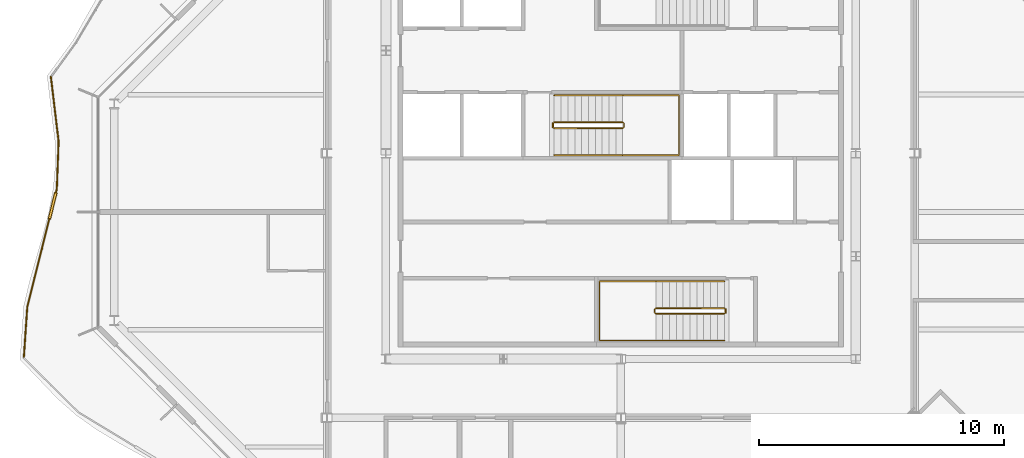
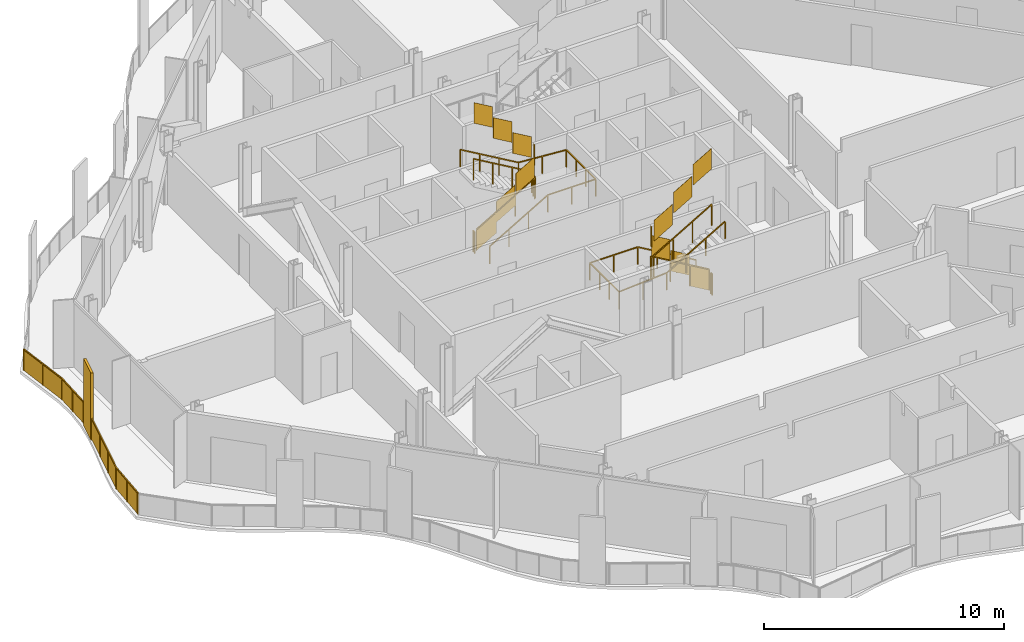
# One storey, part 14 of 17: 7 railings.
"""IFC4 building model written with IfcOpenShell, lengths in metres."""

from ifc_helpers import new_model, si_unit, direction, frame, origin, origin_2d, place, context, subcontext, project, spatial, polyline, rectangle, outline, extrude, material, type_object, element, save


model = new_model("IFC4")

# Units and contexts
model_context = context("Model", 3, precision=1e-05, world=origin(), true_north=direction((0.0, 1.0)))
body_context = subcontext(model_context, "Body", "Model", "MODEL_VIEW")
ifc_project = project(units=[si_unit("LENGTHUNIT", "METRE"), si_unit("AREAUNIT", "SQUARE_METRE"), si_unit("VOLUMEUNIT", "CUBIC_METRE"), si_unit("PLANEANGLEUNIT", "RADIAN"), si_unit("MASSUNIT", "GRAM", prefix="KILO")], contexts=[model_context])

# Site, building, storey
site_placement = place(None, origin())
site = spatial("IfcSite", under=ifc_project, at=site_placement, CompositionType="ELEMENT")
building_placement = place(site_placement, origin())
building = spatial("IfcBuilding", under=site, at=building_placement, Name="Cairn Pilgrim Tower", CompositionType="ELEMENT")
storey_placement = place(building_placement, frame((0.0, 0.0, 235.800048828125)))
storey = spatial("IfcBuildingStorey", under=building, at=storey_placement, Name="L60", CompositionType="ELEMENT", Elevation=235.800048828125)

# Railings
ifc_material_1 = material(Name="Bronze anodised aluminium rail, posts and fin screens with laminated glass infill", Category="aluminium")
railing_type_1 = type_object("IfcRailingType", Name="BALCONY GUARD WITH FIN SCREENS", PredefinedType="GUARDRAIL", material=ifc_material_1)
railing_1_placement = place(storey_placement, frame((-16.087646484375, 5.522705078125, 0.0)))
element("IfcRailing", 1, at=railing_1_placement, inside=storey, type_object=railing_type_1, Name="Balcony guard BGF-7 with fin screens", PredefinedType="GUARDRAIL", context=body_context, shape_type="SweptSolid", body=[
    extrude(rectangle(XDim=0.050048828125, YDim=0.050048828125, at=origin_2d()), frame((0.0, 0.0, 1.0751953125), z_axis=(0.118873323235, -0.992909428409, 0.0), x_axis=(0.992909428409, 0.118873323235, 0.0)), (0.0, 0.0, 1.0), 2.655517578125),
    extrude(rectangle(XDim=0.050048828125, YDim=0.050048828125, at=origin_2d()), frame((0.315673828125, -2.63671875, 1.0751953125), z_axis=(-0.038086688743, -0.999274438851, 0.0), x_axis=(0.999274438851, -0.038086688743, 0.0)), (0.0, 0.0, 1.0), 1.94873046875),
    extrude(rectangle(XDim=1.10009765625, YDim=0.110107421875, at=origin_2d()), frame((0.071044921875, -5.262939453125, 0.0), z_axis=(0.0, 0.0, 1.0), x_axis=(-0.243486878298, -0.969904191195, 0.0)), (0.0, 0.0, 1.0), 3.39990234375),
    extrude(rectangle(XDim=0.050048828125, YDim=0.050048828125, at=origin_2d()), frame((0.241455078125, -4.583984375, 1.0751953125), z_axis=(-0.243486878298, -0.969904191195, 0.0), x_axis=(0.969904191195, -0.243486878298, 0.0)), (0.0, 0.0, 1.0), 0.150146484375),
    extrude(rectangle(XDim=0.050048828125, YDim=0.050048828125, at=origin_2d()), frame((-0.06298828125, -5.79638671875, 1.0751953125), z_axis=(-0.243486878298, -0.969904191195, 0.0), x_axis=(0.969904191195, -0.243486878298, 0.0)), (0.0, 0.0, 1.0), 3.701171875),
    extrude(rectangle(XDim=0.050048828125, YDim=0.050048828125, at=origin_2d()), frame((-0.964111328125, -9.38623046875, 1.0751953125), z_axis=(-0.068056300248, -0.997681482236, 0.0), x_axis=(0.997681482236, -0.068056300248, 0.0)), (0.0, 0.0, 1.0), 2.044677734375),
    extrude(rectangle(XDim=0.050048828125, YDim=0.050048828125, at=origin_2d()), origin(), (0.0, 0.0, 1.0), 1.050048828125),
    extrude(rectangle(XDim=0.050048828125, YDim=0.050048828125, at=origin_2d()), frame((0.15771484375, -1.318359375, 0.0)), (0.0, 0.0, 1.0), 1.050048828125),
    extrude(rectangle(XDim=0.050048828125, YDim=0.050048828125, at=origin_2d()), frame((0.315673828125, -2.63671875, 0.0)), (0.0, 0.0, 1.0), 1.050048828125),
    extrude(rectangle(XDim=0.050048828125, YDim=0.050048828125, at=origin_2d()), frame((0.278564453125, -3.6103515625, 0.0)), (0.0, 0.0, 1.0), 1.050048828125),
    extrude(rectangle(XDim=0.050048828125, YDim=0.050048828125, at=origin_2d()), frame((0.241455078125, -4.583984375, 0.0)), (0.0, 0.0, 1.0), 1.050048828125),
    extrude(rectangle(XDim=0.050048828125, YDim=0.050048828125, at=origin_2d()), frame((0.2109375, -4.705322265625, 0.0)), (0.0, 0.0, 1.0), 1.050048828125),
    extrude(rectangle(XDim=0.050048828125, YDim=0.050048828125, at=origin_2d()), frame((-0.069091796875, -5.82080078125, 0.0)), (0.0, 0.0, 1.0), 1.050048828125),
    extrude(rectangle(XDim=0.050048828125, YDim=0.050048828125, at=origin_2d()), frame((-0.367431640625, -7.00927734375, 0.0)), (0.0, 0.0, 1.0), 1.050048828125),
    extrude(rectangle(XDim=0.050048828125, YDim=0.050048828125, at=origin_2d()), frame((-0.665771484375, -8.19775390625, 0.0)), (0.0, 0.0, 1.0), 1.050048828125),
    extrude(rectangle(XDim=0.050048828125, YDim=0.050048828125, at=origin_2d()), frame((-0.964111328125, -9.38623046875, 0.0)), (0.0, 0.0, 1.0), 1.050048828125),
    extrude(rectangle(XDim=0.050048828125, YDim=0.050048828125, at=origin_2d()), frame((-1.03369140625, -10.40625, 0.0)), (0.0, 0.0, 1.0), 1.050048828125),
    extrude(rectangle(XDim=0.050048828125, YDim=0.050048828125, at=origin_2d()), frame((-1.103271484375, -11.42626953125, 0.0)), (0.0, 0.0, 1.0), 1.050048828125),
    extrude(outline(polyline([(0.02490234375, 0.0), (1.302734375, 0.0), (1.302734375, 1.050048828125), (0.02490234375, 1.050048828125), (0.02490234375, 0.0)])), frame((0.005859375, 0.000732421875, 0.0), z_axis=(-0.992909428409, -0.118873323235, 0.0), x_axis=(0.118873323235, -0.992909428409, 0.0)), (0.0, 0.0, 1.0), 0.011962890625),
    extrude(outline(polyline([(0.02490234375, 0.0), (1.302734375, 0.0), (1.302734375, 1.050048828125), (0.02490234375, 1.050048828125), (0.02490234375, 0.0)])), frame((0.163818359375, -1.317626953125, 0.0), z_axis=(-0.992909428409, -0.118873323235, 0.0), x_axis=(0.118873323235, -0.992909428409, 0.0)), (0.0, 0.0, 1.0), 0.011962890625),
    extrude(outline(polyline([(0.02490234375, 0.0), (0.94921875, 0.0), (0.94921875, 1.050048828125), (0.02490234375, 1.050048828125), (0.02490234375, 0.0)])), frame((0.321533203125, -2.636962890625, 0.0), z_axis=(-0.999274438851, 0.038086688743, 0.0), x_axis=(-0.038086688743, -0.999274438851, 0.0)), (0.0, 0.0, 1.0), 0.011962890625),
    extrude(outline(polyline([(0.02490234375, 0.0), (0.94921875, 0.0), (0.94921875, 1.050048828125), (0.02490234375, 1.050048828125), (0.02490234375, 0.0)])), frame((0.284423828125, -3.610595703125, 0.0), z_axis=(-0.999274438851, 0.038086688743, 0.0), x_axis=(-0.038086688743, -0.999274438851, 0.0)), (0.0, 0.0, 1.0), 0.011962890625),
    extrude(outline(polyline([(0.02490234375, 0.0), (0.10009765625, 0.0), (0.10009765625, 1.050048828125), (0.02490234375, 1.050048828125), (0.02490234375, 0.0)])), frame((0.247314453125, -4.58544921875, 0.0), z_axis=(-0.969904191195, 0.243486878298, 0.0), x_axis=(-0.243486878298, -0.969904191195, 0.0)), (0.0, 0.0, 1.0), 0.011962890625),
    extrude(outline(polyline([(0.02490234375, 0.0), (1.200439453125, 0.0), (1.200439453125, 1.050048828125), (0.02490234375, 1.050048828125), (0.02490234375, 0.0)])), frame((-0.063232421875, -5.822265625, 0.0), z_axis=(-0.969904191195, 0.243486878298, 0.0), x_axis=(-0.243486878298, -0.969904191195, 0.0)), (0.0, 0.0, 1.0), 0.011962890625),
    extrude(outline(polyline([(0.02490234375, 0.0), (1.200439453125, 0.0), (1.200439453125, 1.050048828125), (0.02490234375, 1.050048828125), (0.02490234375, 0.0)])), frame((-0.361572265625, -7.0107421875, 0.0), z_axis=(-0.969904191195, 0.243486878298, 0.0), x_axis=(-0.243486878298, -0.969904191195, 0.0)), (0.0, 0.0, 1.0), 0.011962890625),
    extrude(outline(polyline([(0.02490234375, 0.0), (1.200439453125, 0.0), (1.200439453125, 1.050048828125), (0.02490234375, 1.050048828125), (0.02490234375, 0.0)])), frame((-0.659912109375, -8.19921875, 0.0), z_axis=(-0.969904191195, 0.243486878298, 0.0), x_axis=(-0.243486878298, -0.969904191195, 0.0)), (0.0, 0.0, 1.0), 0.011962890625),
    extrude(outline(polyline([(0.02490234375, 0.0), (0.997314453125, 0.0), (0.997314453125, 1.050048828125), (0.02490234375, 1.050048828125), (0.02490234375, 0.0)])), frame((-0.958251953125, -9.38671875, 0.0), z_axis=(-0.997681482236, 0.068056300248, 0.0), x_axis=(-0.068056300248, -0.997681482236, 0.0)), (0.0, 0.0, 1.0), 0.011962890625),
    extrude(outline(polyline([(0.02490234375, 0.0), (0.997314453125, 0.0), (0.997314453125, 1.050048828125), (0.02490234375, 1.050048828125), (0.02490234375, 0.0)])), frame((-1.02783203125, -10.40673828125, 0.0), z_axis=(-0.997681482236, 0.068056300248, 0.0), x_axis=(-0.068056300248, -0.997681482236, 0.0)), (0.0, 0.0, 1.0), 0.011962890625),
])
ifc_material_2 = material(Name="Painted steel", Category="steel")
railing_type_2 = type_object("IfcRailingType", Name="STAIR GUARD 1100", PredefinedType="GUARDRAIL", material=ifc_material_2)
railing_2_placement = place(storey_placement, frame((11.425048828125, -3.925048828125, 0.16357421875)))
element("IfcRailing", 2, at=railing_2_placement, inside=storey, type_object=railing_type_2, Name="L60 ST-A stair guard 1", PredefinedType="GUARDRAIL", context=body_context, shape_type="SweptSolid", body=[
    extrude(rectangle(XDim=0.048095703125, YDim=0.048095703125, at=origin_2d()), frame((0.0, 0.0, 1.076171875), z_axis=(-0.863360870873, 0.0, 0.504586966384), x_axis=(0.0, -1.0, 0.0)), (0.0, 0.0, 1.0), 3.2431640625),
    extrude(rectangle(XDim=0.048095703125, YDim=0.048095703125, at=origin_2d()), frame((-2.800048828125, 0.0, 2.71240234375), z_axis=(-0.707106781187, -0.707106781187, 0.0), x_axis=(0.707106781187, -0.707106781187, 0.0)), (0.0, 0.0, 1.0), 0.07080078125),
    extrude(rectangle(XDim=0.048095703125, YDim=0.048095703125, at=origin_2d()), frame((-2.85009765625, -0.050048828125, 2.71240234375), z_axis=(0.0, -1.0, 0.0), x_axis=(1.0, 0.0, 0.0)), (0.0, 0.0, 1.0), 0.125),
    extrude(rectangle(XDim=0.048095703125, YDim=0.048095703125, at=origin_2d()), frame((-2.85009765625, -0.175048828125, 2.71240234375), z_axis=(0.280916556609, -0.279546231943, 0.91811752648), x_axis=(0.705375805398, 0.708833529934, 0.0)), (0.0, 0.0, 1.0), 0.17822265625),
    extrude(rectangle(XDim=0.048095703125, YDim=0.048095703125, at=origin_2d()), frame((-2.800048828125, -0.224853515625, 2.8759765625), z_axis=(0.863393664356, 0.0, 0.504530851732), x_axis=(0.0, 1.0, 0.0)), (0.0, 0.0, 1.0), 3.2431640625),
    extrude(rectangle(XDim=0.0419921875, YDim=0.0419921875, at=origin_2d()), origin(), (0.0, 0.0, 1.0), 1.052001953125),
    extrude(rectangle(XDim=0.0419921875, YDim=0.0419921875, at=origin_2d()), frame((-0.933349609375, 0.0, 0.54541015625)), (0.0, 0.0, 1.0), 1.052001953125),
    extrude(rectangle(XDim=0.0419921875, YDim=0.0419921875, at=origin_2d()), frame((-1.86669921875, 0.0, 1.091064453125)), (0.0, 0.0, 1.0), 1.052001953125),
    extrude(rectangle(XDim=0.0419921875, YDim=0.0419921875, at=origin_2d()), frame((-2.800048828125, 0.0, 1.636474609375)), (0.0, 0.0, 1.0), 1.052001953125),
    extrude(rectangle(XDim=0.0419921875, YDim=0.0419921875, at=origin_2d()), frame((-2.85009765625, -0.050048828125, 1.636474609375)), (0.0, 0.0, 1.0), 1.052001953125),
    extrude(rectangle(XDim=0.0419921875, YDim=0.0419921875, at=origin_2d()), frame((-2.85009765625, -0.175048828125, 1.636474609375)), (0.0, 0.0, 1.0), 1.052001953125),
    extrude(rectangle(XDim=0.0419921875, YDim=0.0419921875, at=origin_2d()), frame((-2.800048828125, -0.224853515625, 1.800048828125)), (0.0, 0.0, 1.0), 1.052001953125),
    extrude(rectangle(XDim=0.0419921875, YDim=0.0419921875, at=origin_2d()), frame((-1.86669921875, -0.224853515625, 2.345458984375)), (0.0, 0.0, 1.0), 1.052001953125),
    extrude(rectangle(XDim=0.0419921875, YDim=0.0419921875, at=origin_2d()), frame((-0.933349609375, -0.224853515625, 2.890869140625)), (0.0, 0.0, 1.0), 1.052001953125),
    extrude(rectangle(XDim=0.0419921875, YDim=0.0419921875, at=origin_2d()), frame((0.0, -0.224853515625, 3.436279296875)), (0.0, 0.0, 1.0), 1.052001953125),
    extrude(outline(polyline([(0.02099609375, 0.01220703125), (0.912353515625, 0.533203125), (0.912353515625, 1.585205078125), (0.02099609375, 1.064208984375), (0.02099609375, 0.01220703125)])), frame((0.0, -0.005859375, 0.0), z_axis=(0.0, 1.0, 0.0), x_axis=(-1.0, 0.0, 0.0)), (0.0, 0.0, 1.0), 0.011962890625),
    extrude(outline(polyline([(0.02099609375, 0.557861328125), (0.912353515625, 1.07861328125), (0.912353515625, 2.130615234375), (0.02099609375, 1.60986328125), (0.02099609375, 0.557861328125)])), frame((-0.933349609375, -0.005859375, 0.54541015625), z_axis=(0.0, 1.0, 0.0), x_axis=(-1.0, 0.0, 0.0)), (0.0, 0.0, 1.0), 0.011962890625),
    extrude(outline(polyline([(0.02099609375, 1.103271484375), (0.912353515625, 1.624267578125), (0.912353515625, 2.67626953125), (0.02099609375, 2.1552734375), (0.02099609375, 1.103271484375)])), frame((-1.86669921875, -0.005859375, 1.091064453125), z_axis=(0.0, 1.0, 0.0), x_axis=(-1.0, 0.0, 0.0)), (0.0, 0.0, 1.0), 0.011962890625),
    extrude(outline(polyline([(0.02099609375, 1.636474609375), (0.10400390625, 1.636474609375), (0.10400390625, 2.6884765625), (0.02099609375, 2.6884765625), (0.02099609375, 1.636474609375)])), frame((-2.84423828125, -0.050048828125, 1.636474609375), z_axis=(-1.0, 0.0, 0.0), x_axis=(0.0, -1.0, 0.0)), (0.0, 0.0, 1.0), 0.011962890625),
    extrude(outline(polyline([(0.02099609375, 1.812255859375), (0.912353515625, 2.333251953125), (0.912353515625, 3.38525390625), (0.02099609375, 2.8642578125), (0.02099609375, 1.812255859375)])), frame((-2.800048828125, -0.21875, 1.800048828125), z_axis=(0.0, -1.0, 0.0), x_axis=(1.0, 0.0, 0.0)), (0.0, 0.0, 1.0), 0.011962890625),
    extrude(outline(polyline([(0.02099609375, 2.357666015625), (0.912353515625, 2.878662109375), (0.912353515625, 3.9306640625), (0.02099609375, 3.40966796875), (0.02099609375, 2.357666015625)])), frame((-1.86669921875, -0.21875, 2.345458984375), z_axis=(0.0, -1.0, 0.0), x_axis=(1.0, 0.0, 0.0)), (0.0, 0.0, 1.0), 0.011962890625),
    extrude(outline(polyline([(0.02099609375, 2.903076171875), (0.912353515625, 3.424072265625), (0.912353515625, 4.47607421875), (0.02099609375, 3.955078125), (0.02099609375, 2.903076171875)])), frame((-0.933349609375, -0.21875, 2.890869140625), z_axis=(0.0, -1.0, 0.0), x_axis=(1.0, 0.0, 0.0)), (0.0, 0.0, 1.0), 0.011962890625),
])
railing_3_placement = place(storey_placement, frame((11.47509765625, -3.97509765625, 0.0)))
element("IfcRailing", 3, at=railing_3_placement, inside=storey, type_object=railing_type_2, Name="L60 ST-A stair guard 2", PredefinedType="GUARDRAIL", context=body_context, shape_type="SweptSolid", body=[
    extrude(rectangle(XDim=0.048095703125, YDim=0.048095703125, at=origin_2d()), frame((0.0, 0.0, 1.076171875), z_axis=(0.0, -1.0, 0.0), x_axis=(1.0, 0.0, 0.0)), (0.0, 0.0, 1.0), 0.125),
    extrude(rectangle(XDim=0.0419921875, YDim=0.0419921875, at=origin_2d()), origin(), (0.0, 0.0, 1.0), 1.052001953125),
    extrude(rectangle(XDim=0.0419921875, YDim=0.0419921875, at=origin_2d()), frame((0.0, -0.125, 0.0)), (0.0, 0.0, 1.0), 1.052001953125),
    extrude(outline(polyline([(0.02099609375, 0.0), (0.10400390625, 0.0), (0.10400390625, 1.052001953125), (0.02099609375, 1.052001953125), (0.02099609375, 0.0)])), frame((0.005859375, 0.0, 0.0), z_axis=(-1.0, 0.0, 0.0), x_axis=(0.0, -1.0, 0.0)), (0.0, 0.0, 1.0), 0.011962890625),
])
railing_4_placement = place(storey_placement, frame((4.47509765625, 3.425048828125, 0.16357421875)))
element("IfcRailing", 4, at=railing_4_placement, inside=storey, type_object=railing_type_2, Name="L60 ST-B stair guard 1", PredefinedType="GUARDRAIL", context=body_context, shape_type="SweptSolid", body=[
    extrude(rectangle(XDim=0.048095703125, YDim=0.048095703125, at=origin_2d()), frame((0.0, 0.0, 1.076171875), z_axis=(0.863341702679, 0.0, 0.504619762213), x_axis=(0.0, 1.0, 0.0)), (0.0, 0.0, 1.0), 3.242919921875),
    extrude(rectangle(XDim=0.048095703125, YDim=0.048095703125, at=origin_2d()), frame((2.7998046875, 0.0, 2.71240234375), z_axis=(0.707106781187, 0.707106781187, 0.0), x_axis=(-0.707106781187, 0.707106781187, 0.0)), (0.0, 0.0, 1.0), 0.07080078125),
    extrude(rectangle(XDim=0.048095703125, YDim=0.048095703125, at=origin_2d()), frame((2.849853515625, 0.050048828125, 2.71240234375), z_axis=(0.0, 1.0, 0.0), x_axis=(-1.0, 0.0, 0.0)), (0.0, 0.0, 1.0), 0.14990234375),
    extrude(rectangle(XDim=0.048095703125, YDim=0.048095703125, at=origin_2d()), frame((2.849853515625, 0.199951171875, 2.71240234375), z_axis=(-0.280808744504, 0.280808744504, 0.917765164963), x_axis=(-0.707106781187, -0.707106781187, 0.0)), (0.0, 0.0, 1.0), 0.17822265625),
    extrude(rectangle(XDim=0.048095703125, YDim=0.048095703125, at=origin_2d()), frame((2.7998046875, 0.25, 2.8759765625), z_axis=(-0.863374499697, 0.0, 0.504563646405), x_axis=(0.0, -1.0, 0.0)), (0.0, 0.0, 1.0), 3.242919921875),
    extrude(rectangle(XDim=0.0419921875, YDim=0.0419921875, at=origin_2d()), origin(), (0.0, 0.0, 1.0), 1.052001953125),
    extrude(rectangle(XDim=0.0419921875, YDim=0.0419921875, at=origin_2d()), frame((0.933349609375, 0.0, 0.54541015625)), (0.0, 0.0, 1.0), 1.052001953125),
    extrude(rectangle(XDim=0.0419921875, YDim=0.0419921875, at=origin_2d()), frame((1.866455078125, 0.0, 1.091064453125)), (0.0, 0.0, 1.0), 1.052001953125),
    extrude(rectangle(XDim=0.0419921875, YDim=0.0419921875, at=origin_2d()), frame((2.7998046875, 0.0, 1.636474609375)), (0.0, 0.0, 1.0), 1.052001953125),
    extrude(rectangle(XDim=0.0419921875, YDim=0.0419921875, at=origin_2d()), frame((2.849853515625, 0.050048828125, 1.636474609375)), (0.0, 0.0, 1.0), 1.052001953125),
    extrude(rectangle(XDim=0.0419921875, YDim=0.0419921875, at=origin_2d()), frame((2.849853515625, 0.199951171875, 1.636474609375)), (0.0, 0.0, 1.0), 1.052001953125),
    extrude(rectangle(XDim=0.0419921875, YDim=0.0419921875, at=origin_2d()), frame((2.7998046875, 0.25, 1.800048828125)), (0.0, 0.0, 1.0), 1.052001953125),
    extrude(rectangle(XDim=0.0419921875, YDim=0.0419921875, at=origin_2d()), frame((1.866455078125, 0.25, 2.345458984375)), (0.0, 0.0, 1.0), 1.052001953125),
    extrude(rectangle(XDim=0.0419921875, YDim=0.0419921875, at=origin_2d()), frame((0.933349609375, 0.25, 2.890869140625)), (0.0, 0.0, 1.0), 1.052001953125),
    extrude(rectangle(XDim=0.0419921875, YDim=0.0419921875, at=origin_2d()), frame((0.0, 0.25, 3.436279296875)), (0.0, 0.0, 1.0), 1.052001953125),
    extrude(outline(polyline([(0.02099609375, 0.01220703125), (0.912353515625, 0.533203125), (0.912353515625, 1.585205078125), (0.02099609375, 1.064208984375), (0.02099609375, 0.01220703125)])), frame((0.0, 0.005859375, 0.0), z_axis=(0.0, -1.0, 0.0), x_axis=(1.0, 0.0, 0.0)), (0.0, 0.0, 1.0), 0.011962890625),
    extrude(outline(polyline([(0.02099609375, 0.557861328125), (0.912353515625, 1.07861328125), (0.912353515625, 2.130615234375), (0.02099609375, 1.60986328125), (0.02099609375, 0.557861328125)])), frame((0.933349609375, 0.005859375, 0.54541015625), z_axis=(0.0, -1.0, 0.0), x_axis=(1.0, 0.0, 0.0)), (0.0, 0.0, 1.0), 0.011962890625),
    extrude(outline(polyline([(0.02099609375, 1.103271484375), (0.912353515625, 1.624267578125), (0.912353515625, 2.67626953125), (0.02099609375, 2.1552734375), (0.02099609375, 1.103271484375)])), frame((1.866455078125, 0.005859375, 1.091064453125), z_axis=(0.0, -1.0, 0.0), x_axis=(1.0, 0.0, 0.0)), (0.0, 0.0, 1.0), 0.011962890625),
    extrude(outline(polyline([(0.02099609375, 1.636474609375), (0.12890625, 1.636474609375), (0.12890625, 2.6884765625), (0.02099609375, 2.6884765625), (0.02099609375, 1.636474609375)])), frame((2.84375, 0.050048828125, 1.636474609375), z_axis=(1.0, 0.0, 0.0), x_axis=(0.0, 1.0, 0.0)), (0.0, 0.0, 1.0), 0.011962890625),
    extrude(outline(polyline([(0.02099609375, 1.812255859375), (0.912353515625, 2.333251953125), (0.912353515625, 3.38525390625), (0.02099609375, 2.8642578125), (0.02099609375, 1.812255859375)])), frame((2.7998046875, 0.244140625, 1.800048828125), z_axis=(0.0, 1.0, 0.0), x_axis=(-1.0, 0.0, 0.0)), (0.0, 0.0, 1.0), 0.011962890625),
    extrude(outline(polyline([(0.02099609375, 2.357666015625), (0.912353515625, 2.878662109375), (0.912353515625, 3.9306640625), (0.02099609375, 3.40966796875), (0.02099609375, 2.357666015625)])), frame((1.866455078125, 0.244140625, 2.345458984375), z_axis=(0.0, 1.0, 0.0), x_axis=(-1.0, 0.0, 0.0)), (0.0, 0.0, 1.0), 0.011962890625),
    extrude(outline(polyline([(0.02099609375, 2.903076171875), (0.912353515625, 3.424072265625), (0.912353515625, 4.47607421875), (0.02099609375, 3.955078125), (0.02099609375, 2.903076171875)])), frame((0.933349609375, 0.244140625, 2.890869140625), z_axis=(0.0, 1.0, 0.0), x_axis=(-1.0, 0.0, 0.0)), (0.0, 0.0, 1.0), 0.011962890625),
])
railing_5_placement = place(storey_placement, frame((4.425048828125, 3.47509765625, 0.0)))
element("IfcRailing", 5, at=railing_5_placement, inside=storey, type_object=railing_type_2, Name="L60 ST-B stair guard 2", PredefinedType="GUARDRAIL", context=body_context, shape_type="SweptSolid", body=[
    extrude(rectangle(XDim=0.048095703125, YDim=0.048095703125, at=origin_2d()), frame((0.0, 0.0, 1.076171875), z_axis=(0.0, 1.0, 0.0), x_axis=(-1.0, 0.0, 0.0)), (0.0, 0.0, 1.0), 0.14990234375),
    extrude(rectangle(XDim=0.0419921875, YDim=0.0419921875, at=origin_2d()), origin(), (0.0, 0.0, 1.0), 1.052001953125),
    extrude(rectangle(XDim=0.0419921875, YDim=0.0419921875, at=origin_2d()), frame((0.0, 0.14990234375, 0.0)), (0.0, 0.0, 1.0), 1.052001953125),
    extrude(outline(polyline([(0.02099609375, 0.0), (0.12890625, 0.0), (0.12890625, 1.052001953125), (0.02099609375, 1.052001953125), (0.02099609375, 0.0)])), frame((-0.005859375, 0.0, 0.0), z_axis=(1.0, 0.0, 0.0), x_axis=(0.0, 1.0, 0.0)), (0.0, 0.0, 1.0), 0.011962890625),
])
railing_type_3 = type_object("IfcRailingType", Name="STAIR HANDRAIL 900", PredefinedType="HANDRAIL", material=ifc_material_2)
railing_6_placement = place(storey_placement, frame((11.425048828125, -2.824951171875, 0.16357421875)))
element("IfcRailing", 6, at=railing_6_placement, inside=storey, type_object=railing_type_3, Name="L60 ST-A stair handrail 1", PredefinedType="HANDRAIL", context=body_context, shape_type="SweptSolid", body=[
    extrude(rectangle(XDim=0.048095703125, YDim=0.048095703125, at=origin_2d()), frame((0.0, 0.0, 0.8759765625), z_axis=(-0.863360870873, 0.0, 0.504586966384), x_axis=(0.0, -1.0, 0.0)), (0.0, 0.0, 1.0), 3.2431640625),
    extrude(rectangle(XDim=0.048095703125, YDim=0.048095703125, at=origin_2d()), frame((-2.800048828125, 0.0, 2.51220703125), z_axis=(-1.0, 0.0, 0.0), x_axis=(0.0, -1.0, 0.0)), (0.0, 0.0, 1.0), 2.300048828125),
    extrude(rectangle(XDim=0.048095703125, YDim=0.048095703125, at=origin_2d()), frame((-5.10009765625, 0.0, 2.51220703125), z_axis=(0.0, -1.0, 0.0), x_axis=(1.0, 0.0, 0.0)), (0.0, 0.0, 1.0), 2.425048828125),
    extrude(rectangle(XDim=0.048095703125, YDim=0.048095703125, at=origin_2d()), frame((-5.10009765625, -2.425048828125, 2.51220703125), z_axis=(0.997480687736, 0.0, 0.070938548008), x_axis=(0.0, 1.0, 0.0)), (0.0, 0.0, 1.0), 2.305908203125),
    extrude(rectangle(XDim=0.048095703125, YDim=0.048095703125, at=origin_2d()), frame((-2.800048828125, -2.425048828125, 2.67578125), z_axis=(0.863393664356, 0.0, 0.504530851732), x_axis=(0.0, 1.0, 0.0)), (0.0, 0.0, 1.0), 3.2431640625),
    extrude(rectangle(XDim=0.0419921875, YDim=0.0419921875, at=origin_2d()), origin(), (0.0, 0.0, 1.0), 0.851806640625),
    extrude(rectangle(XDim=0.0419921875, YDim=0.0419921875, at=origin_2d()), frame((-0.933349609375, 0.0, 0.54541015625)), (0.0, 0.0, 1.0), 0.851806640625),
    extrude(rectangle(XDim=0.0419921875, YDim=0.0419921875, at=origin_2d()), frame((-1.86669921875, 0.0, 1.091064453125)), (0.0, 0.0, 1.0), 0.851806640625),
    extrude(rectangle(XDim=0.0419921875, YDim=0.0419921875, at=origin_2d()), frame((-2.800048828125, 0.0, 1.636474609375)), (0.0, 0.0, 1.0), 0.851806640625),
    extrude(rectangle(XDim=0.0419921875, YDim=0.0419921875, at=origin_2d()), frame((-3.9501953125, 0.0, 1.636474609375)), (0.0, 0.0, 1.0), 0.851806640625),
    extrude(rectangle(XDim=0.0419921875, YDim=0.0419921875, at=origin_2d()), frame((-5.10009765625, 0.0, 1.636474609375)), (0.0, 0.0, 1.0), 0.851806640625),
    extrude(rectangle(XDim=0.0419921875, YDim=0.0419921875, at=origin_2d()), frame((-5.10009765625, -0.808349609375, 1.636474609375)), (0.0, 0.0, 1.0), 0.851806640625),
    extrude(rectangle(XDim=0.0419921875, YDim=0.0419921875, at=origin_2d()), frame((-5.10009765625, -1.61669921875, 1.636474609375)), (0.0, 0.0, 1.0), 0.851806640625),
    extrude(rectangle(XDim=0.0419921875, YDim=0.0419921875, at=origin_2d()), frame((-5.10009765625, -2.425048828125, 1.636474609375)), (0.0, 0.0, 1.0), 0.851806640625),
    extrude(rectangle(XDim=0.0419921875, YDim=0.0419921875, at=origin_2d()), frame((-3.9501953125, -2.425048828125, 1.71826171875)), (0.0, 0.0, 1.0), 0.851806640625),
    extrude(rectangle(XDim=0.0419921875, YDim=0.0419921875, at=origin_2d()), frame((-2.800048828125, -2.425048828125, 1.800048828125)), (0.0, 0.0, 1.0), 0.851806640625),
    extrude(rectangle(XDim=0.0419921875, YDim=0.0419921875, at=origin_2d()), frame((-1.86669921875, -2.425048828125, 2.345458984375)), (0.0, 0.0, 1.0), 0.851806640625),
    extrude(rectangle(XDim=0.0419921875, YDim=0.0419921875, at=origin_2d()), frame((-0.933349609375, -2.425048828125, 2.890869140625)), (0.0, 0.0, 1.0), 0.851806640625),
    extrude(rectangle(XDim=0.0419921875, YDim=0.0419921875, at=origin_2d()), frame((0.0, -2.425048828125, 3.436279296875)), (0.0, 0.0, 1.0), 0.851806640625),
])
railing_7_placement = place(storey_placement, frame((4.47509765625, 2.324951171875, 0.16357421875)))
element("IfcRailing", 7, at=railing_7_placement, inside=storey, type_object=railing_type_3, Name="L60 ST-B stair handrail 1", PredefinedType="HANDRAIL", context=body_context, shape_type="SweptSolid", body=[
    extrude(rectangle(XDim=0.048095703125, YDim=0.048095703125, at=origin_2d()), frame((0.0, 0.0, 0.8759765625), z_axis=(0.863341702679, 0.0, 0.504619762213), x_axis=(0.0, 1.0, 0.0)), (0.0, 0.0, 1.0), 3.242919921875),
    extrude(rectangle(XDim=0.048095703125, YDim=0.048095703125, at=origin_2d()), frame((2.7998046875, 0.0, 2.51220703125), z_axis=(1.0, 0.0, 0.0), x_axis=(0.0, 1.0, 0.0)), (0.0, 0.0, 1.0), 2.300048828125),
    extrude(rectangle(XDim=0.048095703125, YDim=0.048095703125, at=origin_2d()), frame((5.099853515625, 0.0, 2.51220703125), z_axis=(0.0, 1.0, 0.0), x_axis=(-1.0, 0.0, 0.0)), (0.0, 0.0, 1.0), 2.449951171875),
    extrude(rectangle(XDim=0.048095703125, YDim=0.048095703125, at=origin_2d()), frame((5.099853515625, 2.449951171875, 2.51220703125), z_axis=(-0.997480687736, 0.0, 0.070938548008), x_axis=(0.0, -1.0, 0.0)), (0.0, 0.0, 1.0), 2.305908203125),
    extrude(rectangle(XDim=0.048095703125, YDim=0.048095703125, at=origin_2d()), frame((2.7998046875, 2.449951171875, 2.67578125), z_axis=(-0.863374499697, 0.0, 0.504563646405), x_axis=(0.0, -1.0, 0.0)), (0.0, 0.0, 1.0), 3.242919921875),
    extrude(rectangle(XDim=0.0419921875, YDim=0.0419921875, at=origin_2d()), origin(), (0.0, 0.0, 1.0), 0.851806640625),
    extrude(rectangle(XDim=0.0419921875, YDim=0.0419921875, at=origin_2d()), frame((0.933349609375, 0.0, 0.54541015625)), (0.0, 0.0, 1.0), 0.851806640625),
    extrude(rectangle(XDim=0.0419921875, YDim=0.0419921875, at=origin_2d()), frame((1.866455078125, 0.0, 1.091064453125)), (0.0, 0.0, 1.0), 0.851806640625),
    extrude(rectangle(XDim=0.0419921875, YDim=0.0419921875, at=origin_2d()), frame((2.7998046875, 0.0, 1.636474609375)), (0.0, 0.0, 1.0), 0.851806640625),
    extrude(rectangle(XDim=0.0419921875, YDim=0.0419921875, at=origin_2d()), frame((3.94970703125, 0.0, 1.636474609375)), (0.0, 0.0, 1.0), 0.851806640625),
    extrude(rectangle(XDim=0.0419921875, YDim=0.0419921875, at=origin_2d()), frame((5.099853515625, 0.0, 1.636474609375)), (0.0, 0.0, 1.0), 0.851806640625),
    extrude(rectangle(XDim=0.0419921875, YDim=0.0419921875, at=origin_2d()), frame((5.099853515625, 0.816650390625, 1.636474609375)), (0.0, 0.0, 1.0), 0.851806640625),
    extrude(rectangle(XDim=0.0419921875, YDim=0.0419921875, at=origin_2d()), frame((5.099853515625, 1.63330078125, 1.636474609375)), (0.0, 0.0, 1.0), 0.851806640625),
    extrude(rectangle(XDim=0.0419921875, YDim=0.0419921875, at=origin_2d()), frame((5.099853515625, 2.449951171875, 1.636474609375)), (0.0, 0.0, 1.0), 0.851806640625),
    extrude(rectangle(XDim=0.0419921875, YDim=0.0419921875, at=origin_2d()), frame((3.94970703125, 2.449951171875, 1.71826171875)), (0.0, 0.0, 1.0), 0.851806640625),
    extrude(rectangle(XDim=0.0419921875, YDim=0.0419921875, at=origin_2d()), frame((2.7998046875, 2.449951171875, 1.800048828125)), (0.0, 0.0, 1.0), 0.851806640625),
    extrude(rectangle(XDim=0.0419921875, YDim=0.0419921875, at=origin_2d()), frame((1.866455078125, 2.449951171875, 2.345458984375)), (0.0, 0.0, 1.0), 0.851806640625),
    extrude(rectangle(XDim=0.0419921875, YDim=0.0419921875, at=origin_2d()), frame((0.933349609375, 2.449951171875, 2.890869140625)), (0.0, 0.0, 1.0), 0.851806640625),
    extrude(rectangle(XDim=0.0419921875, YDim=0.0419921875, at=origin_2d()), frame((0.0, 2.449951171875, 3.436279296875)), (0.0, 0.0, 1.0), 0.851806640625),
])

save(model, "model.ifc")
